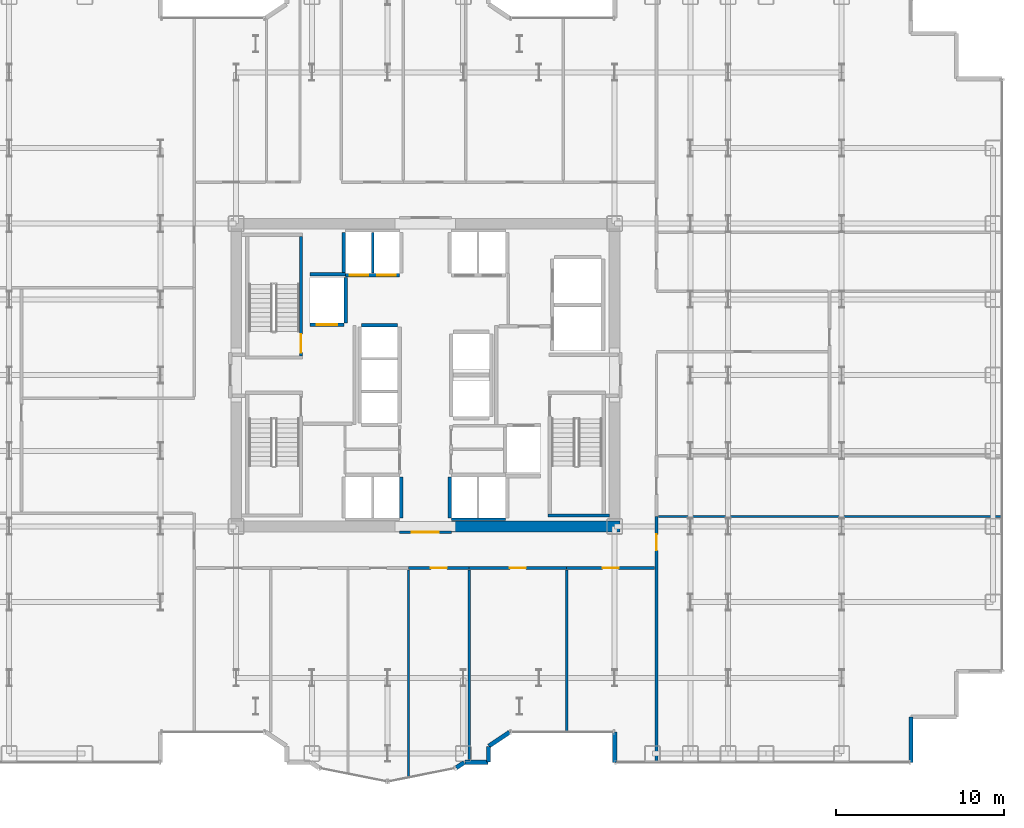
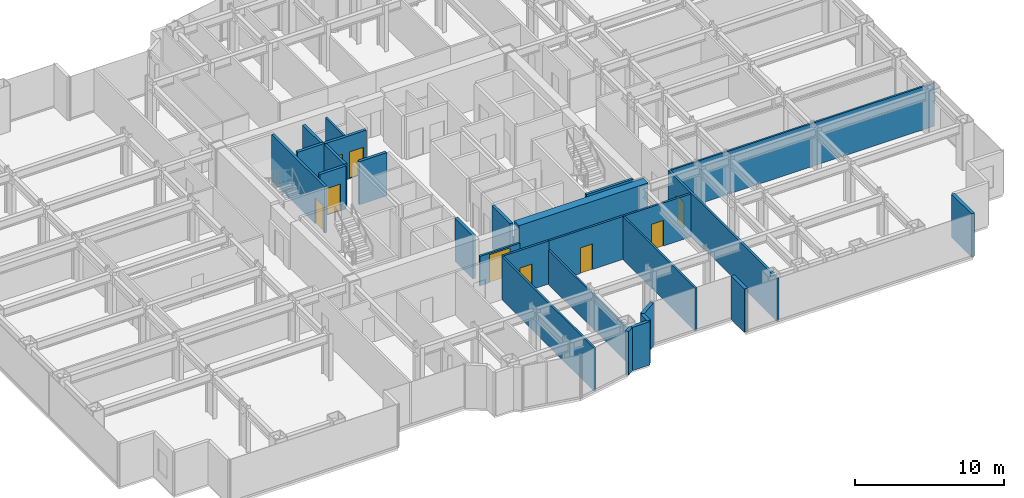
# One storey, part 21 of 26: 28 walls, 9 doors, 9 openings.
"""IFC4 building model written with IfcOpenShell, lengths in metres."""

from ifc_helpers import new_model, si_unit, direction, frame, frame_2d, origin, place, context, subcontext, project, spatial, rectangle, extrude, source, transform, mapped, material, layer, layer_set, type_object, element, fill, save


model = new_model("IFC4")

# Units and contexts
model_context = context("Model", 3, precision=1e-05, world=origin(), true_north=direction((0.0, 1.0)))
body_context = subcontext(model_context, "Body", "Model", "MODEL_VIEW")
ifc_project = project(units=[si_unit("LENGTHUNIT", "METRE"), si_unit("AREAUNIT", "SQUARE_METRE"), si_unit("VOLUMEUNIT", "CUBIC_METRE"), si_unit("PLANEANGLEUNIT", "RADIAN"), si_unit("MASSUNIT", "GRAM", prefix="KILO")], contexts=[model_context])

# Site, building, storey
site_placement = place(None, origin())
site = spatial("IfcSite", under=ifc_project, at=site_placement, CompositionType="ELEMENT")
building_placement = place(site_placement, origin())
building = spatial("IfcBuilding", under=site, at=building_placement, Name="Nefas-Gora Pilgrimage Tower", CompositionType="ELEMENT")
storey_placement = place(building_placement, frame((0.0, 0.0, 40.60009765625)))
storey = spatial("IfcBuildingStorey", under=building, at=storey_placement, Name="L08", CompositionType="ELEMENT", Elevation=40.60009765625)

# Walls
ifc_material_1 = material(Name="Concrete C60/75", Category="concrete")
ifc_layer_1 = layer(ifc_material_1, 0.64990234375)
ifc_layer_set_1 = layer_set([ifc_layer_1], Name="Concrete C60/75")
wall_type_1 = type_object("IfcWallType", Name="SW-CORE-650", PredefinedType="SHEAR", material=ifc_layer_set_1)
shared_shape_1 = source(origin(), body_context, "Body", "SweptSolid", [
    extrude(rectangle(XDim=10.02490234375, YDim=0.64990234375, at=frame_2d((5.012451171875, 0.0))), origin(), (0.0, 0.0, 1.0), 3.7998046875),
])
wall_1_placement = place(storey_placement, frame((1.550048828125, -9.0, 0.0), z_axis=(0.0, 0.0, 1.0), x_axis=(1.0, 0.0, 0.0)))
element("IfcWall", 1, at=wall_1_placement, inside=storey, type_object=wall_type_1, Name="L08 Core Shear Wall S-East", PredefinedType="SHEAR", context=body_context, shape_type="MappedRepresentation", body=[
    mapped(shared_shape_1, transform((0.0, 0.0, 0.0), x_axis=(1.0, 0.0, 0.0), y_axis=(0.0, 1.0, 0.0), z_axis=(0.0, 0.0, 1.0), scale=1.0)),
])
ifc_material_2 = material(Name="Precast concrete C40/50", Category="concrete")
ifc_layer_2 = layer(ifc_material_2, 0.260009765625)
ifc_layer_set_2 = layer_set([ifc_layer_2], Name="Precast concrete C40/50")
wall_type_2 = type_object("IfcWallType", Name="EW-PORTAL-260", PredefinedType="SOLIDWALL", material=ifc_layer_set_2)
shared_shape_2 = source(origin(), body_context, "Body", "SweptSolid", [
    extrude(rectangle(XDim=1.800048828125, YDim=0.260009765625, at=frame_2d((0.89990234375, 0.0))), origin(), (0.0, 0.0, 1.0), 3.5498046875),
])
wall_2_placement = place(storey_placement, frame((11.25, -21.219970703125, 0.0), z_axis=(0.0, 0.0, 1.0), x_axis=(0.0, -1.0, 0.0)))
element("IfcWall", 2, at=wall_2_placement, inside=storey, type_object=wall_type_2, Name="L08 Lobe Shoulder Precast Spandrel Pier 1", PredefinedType="SOLIDWALL", context=body_context, shape_type="MappedRepresentation", body=[
    mapped(shared_shape_2, transform((0.0, 0.0, 0.0), x_axis=(1.0, 0.0, 0.0), y_axis=(0.0, 1.0, 0.0), z_axis=(0.0, 0.0, 1.0), scale=1.0)),
])
ifc_material_3 = material(Name="Precast concrete C45/55", Category="concrete")
ifc_layer_3 = layer(ifc_material_3, 0.239990234375)
ifc_layer_set_3 = layer_set([ifc_layer_3], Name="Precast concrete C45/55")
wall_type_3 = type_object("IfcWallType", Name="EW-SERR-240", PredefinedType="SHEAR", material=ifc_layer_set_3)
shared_shape_3 = source(origin(), body_context, "Body", "SweptSolid", [
    extrude(rectangle(XDim=2.699951171875, YDim=0.239990234375, at=frame_2d((1.35009765625, 0.0))), origin(), (0.0, 0.0, 1.0), 3.5498046875),
])
wall_3_placement = place(storey_placement, frame((28.8701171875, -23.02001953125, 0.0), z_axis=(0.0, 0.0, 1.0), x_axis=(0.0, 1.0, 0.0)))
element("IfcWall", 3, at=wall_3_placement, inside=storey, type_object=wall_type_3, Name="L08 Serrated Corner Shear Pier Wall 2", PredefinedType="SHEAR", context=body_context, shape_type="MappedRepresentation", body=[
    mapped(shared_shape_3, transform((0.0, 0.0, 0.0), x_axis=(1.0, 0.0, 0.0), y_axis=(0.0, 1.0, 0.0), z_axis=(0.0, 0.0, 1.0), scale=1.0)),
])
shared_shape_4 = source(origin(), body_context, "Body", "SweptSolid", [
    extrude(rectangle(XDim=1.468994140625, YDim=0.260009765625, at=frame_2d((0.734375, 0.0))), origin(), (0.0, 0.0, 1.0), 3.5498046875),
])
wall_4_placement = place(storey_placement, frame((3.773193359375, -22.0517578125, 0.0), z_axis=(0.0, 0.0, 1.0), x_axis=(0.831461760506, 0.555581983884, 0.0)))
element("IfcWall", 4, at=wall_4_placement, inside=storey, type_object=wall_type_2, Name="L08 Lobe Shoulder Precast Spandrel Pier 36", PredefinedType="SOLIDWALL", context=body_context, shape_type="MappedRepresentation", body=[
    mapped(shared_shape_4, transform((0.0, 0.0, 0.0), x_axis=(1.0, 0.0, 0.0), y_axis=(0.0, 1.0, 0.0), z_axis=(0.0, 0.0, 1.0), scale=1.0)),
])
shared_shape_5 = source(origin(), body_context, "Body", "SweptSolid", [
    extrude(rectangle(XDim=0.896728515625, YDim=0.260009765625, at=frame_2d((0.4482421875, 0.0))), origin(), (0.0, 0.0, 1.0), 3.5498046875),
])
wall_5_placement = place(storey_placement, frame((3.75, -22.991943359375, 0.0), z_axis=(0.0, 0.0, 1.0), x_axis=(0.0, 1.0, 0.0)))
element("IfcWall", 5, at=wall_5_placement, inside=storey, type_object=wall_type_2, Name="L08 Lobe Shoulder Precast Spandrel Pier 35", PredefinedType="SOLIDWALL", context=body_context, shape_type="MappedRepresentation", body=[
    mapped(shared_shape_5, transform((0.0, 0.0, 0.0), x_axis=(1.0, 0.0, 0.0), y_axis=(0.0, 1.0, 0.0), z_axis=(0.0, 0.0, 1.0), scale=1.0)),
])
shared_shape_6 = source(origin(), body_context, "Body", "SweptSolid", [
    extrude(rectangle(XDim=1.369873046875, YDim=0.260009765625, at=frame_2d((0.68505859375, 0.0))), origin(), (0.0, 0.0, 1.0), 3.5498046875),
])
wall_6_placement = place(storey_placement, frame((2.35205078125, -23.02001953125, 0.0), z_axis=(0.0, 0.0, 1.0), x_axis=(1.0, 0.0, 0.0)))
element("IfcWall", 6, at=wall_6_placement, inside=storey, type_object=wall_type_2, Name="L08 Lobe Shoulder Precast Spandrel Pier 34", PredefinedType="SOLIDWALL", context=body_context, shape_type="MappedRepresentation", body=[
    mapped(shared_shape_6, transform((0.0, 0.0, 0.0), x_axis=(1.0, 0.0, 0.0), y_axis=(0.0, 1.0, 0.0), z_axis=(0.0, 0.0, 1.0), scale=1.0)),
])
shared_shape_7 = source(origin(), body_context, "Body", "SweptSolid", [
    extrude(rectangle(XDim=0.5654296875, YDim=0.260009765625, at=frame_2d((0.28271484375, 0.0))), origin(), (0.0, 0.0, 1.0), 3.5498046875),
])
wall_7_placement = place(storey_placement, frame((1.83056640625, -23.349609375, 0.0), z_axis=(0.0, 0.0, 1.0), x_axis=(0.831651492666, 0.555297933317, 0.0)))
element("IfcWall", 7, at=wall_7_placement, inside=storey, type_object=wall_type_2, Name="L08 Lobe Shoulder Precast Spandrel Pier 33", PredefinedType="SOLIDWALL", context=body_context, shape_type="MappedRepresentation", body=[
    mapped(shared_shape_7, transform((0.0, 0.0, 0.0), x_axis=(1.0, 0.0, 0.0), y_axis=(0.0, 1.0, 0.0), z_axis=(0.0, 0.0, 1.0), scale=1.0)),
])
ifc_material_4 = material(Name="Concrete C45/55", Category="concrete")
ifc_layer_4 = layer(ifc_material_4, 0.199951171875)
ifc_layer_set_4 = layer_set([ifc_layer_4], Name="Concrete C45/55")
wall_type_4 = type_object("IfcWallType", Name="IW-STAIR-200", PredefinedType="SOLIDWALL", material=ifc_layer_set_4)
shared_shape_8 = source(origin(), body_context, "Body", "SweptSolid", [
    extrude(rectangle(XDim=3.6298828125, YDim=0.199951171875, at=frame_2d((1.81494140625, 0.0))), origin(), (0.0, 0.0, 1.0), 3.7998046875),
])
wall_8_placement = place(storey_placement, frame((7.300048828125, -8.35009765625, 0.0), z_axis=(0.0, 0.0, 1.0), x_axis=(1.0, 0.0, 0.0)))
element("IfcWall", 8, at=wall_8_placement, inside=storey, type_object=wall_type_4, Name="L08 Stairwell Shear Wall ST-02-far", PredefinedType="SOLIDWALL", context=body_context, shape_type="MappedRepresentation", body=[
    mapped(shared_shape_8, transform((0.0, 0.0, 0.0), x_axis=(1.0, 0.0, 0.0), y_axis=(0.0, 1.0, 0.0), z_axis=(0.0, 0.0, 1.0), scale=1.0)),
])

# Wall, opening, door
shared_shape_9 = source(origin(), body_context, "Body", "SweptSolid", [
    extrude(rectangle(XDim=7.10009765625, YDim=0.199951171875, at=frame_2d((3.550048828125, 0.0))), origin(), (0.0, 0.0, 1.0), 3.7998046875),
])
wall_9_placement = place(storey_placement, frame((-7.39990234375, 1.14990234375, 0.0), z_axis=(0.0, 0.0, 1.0), x_axis=(0.0, 1.0, 0.0)))
wall_9 = element("IfcWall", 9, at=wall_9_placement, inside=storey, type_object=wall_type_4, Name="L08 Stairwell Shear Wall ST-01-left", PredefinedType="SOLIDWALL", context=body_context, shape_type="MappedRepresentation", body=[
    mapped(shared_shape_9, transform((0.0, 0.0, 0.0), x_axis=(1.0, 0.0, 0.0), y_axis=(0.0, 1.0, 0.0), z_axis=(0.0, 0.0, 1.0), scale=1.0)),
])
opening_1_placement = place(wall_9_placement, frame((0.179931640625, 0.0, 0.0)))
opening_1 = element("IfcOpeningElement", 10, at=opening_1_placement, cuts=wall_9, Name="Opening ID-ST1", PredefinedType="OPENING", context=body_context, shape_type="SweptSolid", body=[
    extrude(rectangle(XDim=1.10009765625, YDim=2.14990234375, at=frame_2d((0.550048828125, 1.074951171875))), frame((0.0, 0.10986328125, 0.0), z_axis=(0.0, -1.0, 0.0), x_axis=(1.0, 0.0, 0.0)), (0.0, 0.0, 1.0), 0.219970703125),
])
ifc_material_5 = material(Name="Painted galvanised steel fire stair door", Category="steel")
door_type_1 = type_object("IfcDoorType", Name="DR-INT-STAIR-1100", OperationType="NOTDEFINED", PredefinedType="DOOR", material=ifc_material_5)
shared_shape_10 = source(origin(), body_context, "Body", "SweptSolid", [
    extrude(rectangle(XDim=1.10009765625, YDim=2.14990234375, at=frame_2d((0.550048828125, 1.074951171875))), frame((0.0, 0.02490234375, 0.0), z_axis=(0.0, -1.0, 0.0), x_axis=(1.0, 0.0, 0.0)), (0.0, 0.0, 1.0), 0.050048828125),
])
door_1_placement = place(opening_1_placement, origin())
door_1 = element("IfcDoor", 11, at=door_1_placement, inside=storey, type_object=door_type_1, Name="L08 Protected Exit Stair Door ST-01", OperationType="SINGLE_SWING_RIGHT", OverallHeight=2.14990234375, OverallWidth=1.10009765625, PredefinedType="DOOR", context=body_context, shape_type="MappedRepresentation", body=[
    mapped(shared_shape_10, transform((0.0, 0.0, 0.0), x_axis=(1.0, 0.0, 0.0), y_axis=(0.0, 1.0, 0.0), z_axis=(0.0, 0.0, 1.0), scale=1.0)),
])
fill(opening_1, door_1)

ifc_material_6 = material(Name="Concrete C40/50", Category="concrete")
ifc_layer_5 = layer(ifc_material_6, 0.219970703125)
ifc_layer_set_5 = layer_set([ifc_layer_5], Name="Concrete C40/50")
wall_type_5 = type_object("IfcWallType", Name="IW-SHAFT-220", PredefinedType="SOLIDWALL", material=ifc_layer_set_5)
shared_shape_11 = source(origin(), body_context, "Body", "SweptSolid", [
    extrude(rectangle(XDim=2.0, YDim=0.219970703125, at=frame_2d((1.0, 0.0))), origin(), (0.0, 0.0, 1.0), 3.534912109375),
])
wall_10_placement = place(storey_placement, frame((-6.85009765625, 2.989990234375, 0.0), z_axis=(0.0, 0.0, 1.0), x_axis=(1.0, 0.0, 0.0)))
wall_10 = element("IfcWall", 12, at=wall_10_placement, inside=storey, type_object=wall_type_5, Name="L08 Hoistway Wall FFL-01-S", PredefinedType="SOLIDWALL", context=body_context, shape_type="MappedRepresentation", body=[
    mapped(shared_shape_11, transform((0.0, 0.0, 0.0), x_axis=(1.0, 0.0, 0.0), y_axis=(0.0, 1.0, 0.0), z_axis=(0.0, 0.0, 1.0), scale=1.0)),
])
opening_2_placement = place(wall_10_placement, frame((0.39990234375, 0.0, 0.0)))
opening_2 = element("IfcOpeningElement", 13, at=opening_2_placement, cuts=wall_10, Name="Opening LD-FF", PredefinedType="OPENING", context=body_context, shape_type="SweptSolid", body=[
    extrude(rectangle(XDim=1.199951171875, YDim=2.199951171875, at=frame_2d((0.60009765625, 1.10009765625))), frame((0.0, 0.119873046875, 0.0), z_axis=(0.0, -1.0, 0.0), x_axis=(1.0, 0.0, 0.0)), (0.0, 0.0, 1.0), 0.239990234375),
])
ifc_material_7 = material(Name="Fire-service sliding lift landing door")
door_type_2 = type_object("IfcDoorType", Name="DR-LIFT-FSAE-1200", OperationType="SLIDING_TO_LEFT", PredefinedType="DOOR", material=ifc_material_7)
shared_shape_12 = source(origin(), body_context, "Body", "SweptSolid", [
    extrude(rectangle(XDim=1.199951171875, YDim=2.199951171875, at=frame_2d((0.60009765625, 1.10009765625))), frame((0.0, 0.02490234375, 0.0), z_axis=(0.0, -1.0, 0.0), x_axis=(1.0, 0.0, 0.0)), (0.0, 0.0, 1.0), 0.050048828125),
])
door_2_placement = place(opening_2_placement, origin())
door_2 = element("IfcDoor", 14, at=door_2_placement, inside=storey, type_object=door_type_2, Name="L08 Sliding Lift Landing Door FFL-01", OperationType="SLIDING_TO_LEFT", OverallHeight=2.199951171875, OverallWidth=1.199951171875, PredefinedType="DOOR", context=body_context, shape_type="MappedRepresentation", body=[
    mapped(shared_shape_12, transform((0.0, 0.0, 0.0), x_axis=(1.0, 0.0, 0.0), y_axis=(0.0, 1.0, 0.0), z_axis=(0.0, 0.0, 1.0), scale=1.0)),
])
fill(opening_2, door_2)

# Wall
shared_shape_13 = source(origin(), body_context, "Body", "SweptSolid", [
    extrude(rectangle(XDim=2.679931640625, YDim=0.219970703125, at=frame_2d((1.33984375, 0.0))), origin(), (0.0, 0.0, 1.0), 3.534912109375),
])
wall_11_placement = place(storey_placement, frame((-4.739990234375, 3.110107421875, 0.0), z_axis=(0.0, 0.0, 1.0), x_axis=(0.0, 1.0, 0.0)))
element("IfcWall", 15, at=wall_11_placement, inside=storey, type_object=wall_type_5, Name="L08 Hoistway Wall FFL-01-E", PredefinedType="SOLIDWALL", context=body_context, shape_type="MappedRepresentation", body=[
    mapped(shared_shape_13, transform((0.0, 0.0, 0.0), x_axis=(1.0, 0.0, 0.0), y_axis=(0.0, 1.0, 0.0), z_axis=(0.0, 0.0, 1.0), scale=1.0)),
])

# Wall, openings, doors
shared_shape_14 = source(origin(), body_context, "Body", "SweptSolid", [
    extrude(rectangle(XDim=3.199951171875, YDim=0.219970703125, at=frame_2d((1.60009765625, 0.0))), origin(), (0.0, 0.0, 1.0), 3.534912109375),
])
wall_12_placement = place(storey_placement, frame((-4.75, 5.93994140625, 0.0), z_axis=(0.0, 0.0, 1.0), x_axis=(1.0, 0.0, 0.0)))
wall_12 = element("IfcWall", 16, at=wall_12_placement, inside=storey, type_object=wall_type_5, Name="L08 Hoistway Wall PL1-W-S", PredefinedType="SOLIDWALL", context=body_context, shape_type="MappedRepresentation", body=[
    mapped(shared_shape_14, transform((0.0, 0.0, 0.0), x_axis=(1.0, 0.0, 0.0), y_axis=(0.0, 1.0, 0.0), z_axis=(0.0, 0.0, 1.0), scale=1.0)),
])
opening_3_placement = place(wall_12_placement, frame((0.25, 0.0, 0.0)))
opening_3 = element("IfcOpeningElement", 17, at=opening_3_placement, cuts=wall_12, Name="Opening LD-01", PredefinedType="OPENING", context=body_context, shape_type="SweptSolid", body=[
    extrude(rectangle(XDim=1.10009765625, YDim=2.199951171875, at=frame_2d((0.550048828125, 1.10009765625))), frame((0.0, 0.119873046875, 0.0), z_axis=(0.0, -1.0, 0.0), x_axis=(1.0, 0.0, 0.0)), (0.0, 0.0, 1.0), 0.239990234375),
])
opening_4_placement = place(wall_12_placement, frame((1.875, 0.0, 0.0)))
opening_4 = element("IfcOpeningElement", 18, at=opening_4_placement, cuts=wall_12, Name="Opening LD-01", PredefinedType="OPENING", context=body_context, shape_type="SweptSolid", body=[
    extrude(rectangle(XDim=1.10009765625, YDim=2.199951171875, at=frame_2d((0.550048828125, 1.10009765625))), frame((0.0, 0.119873046875, 0.0), z_axis=(0.0, -1.0, 0.0), x_axis=(1.0, 0.0, 0.0)), (0.0, 0.0, 1.0), 0.239990234375),
])
ifc_material_8 = material(Name="Brushed stainless sliding lift landing door")
door_type_3 = type_object("IfcDoorType", Name="DR-LIFT-PASS-1100", OperationType="DOUBLE_DOOR_SLIDING", PredefinedType="DOOR", material=ifc_material_8)
shared_shape_15 = source(origin(), body_context, "Body", "SweptSolid", [
    extrude(rectangle(XDim=1.10009765625, YDim=2.199951171875, at=frame_2d((0.550048828125, 1.10009765625))), frame((0.0, 0.02490234375, 0.0), z_axis=(0.0, -1.0, 0.0), x_axis=(1.0, 0.0, 0.0)), (0.0, 0.0, 1.0), 0.050048828125),
])
door_3_placement = place(opening_3_placement, origin())
door_3 = element("IfcDoor", 19, at=door_3_placement, inside=storey, type_object=door_type_3, Name="L08 Sliding Lift Landing Door PL1-01", OperationType="DOUBLE_DOOR_SLIDING", OverallHeight=2.199951171875, OverallWidth=1.10009765625, PredefinedType="DOOR", context=body_context, shape_type="MappedRepresentation", body=[
    mapped(shared_shape_15, transform((0.0, 0.0, 0.0), x_axis=(1.0, 0.0, 0.0), y_axis=(0.0, 1.0, 0.0), z_axis=(0.0, 0.0, 1.0), scale=1.0)),
])
fill(opening_3, door_3)
door_4_placement = place(opening_4_placement, origin())
door_4 = element("IfcDoor", 20, at=door_4_placement, inside=storey, type_object=door_type_3, Name="L08 Sliding Lift Landing Door PL1-02", OperationType="DOUBLE_DOOR_SLIDING", OverallHeight=2.199951171875, OverallWidth=1.10009765625, PredefinedType="DOOR", context=body_context, shape_type="MappedRepresentation", body=[
    mapped(shared_shape_15, transform((0.0, 0.0, 0.0), x_axis=(1.0, 0.0, 0.0), y_axis=(0.0, 1.0, 0.0), z_axis=(0.0, 0.0, 1.0), scale=1.0)),
])
fill(opening_4, door_4)

# Walls
shared_shape_16 = source(origin(), body_context, "Body", "SweptSolid", [
    extrude(rectangle(XDim=2.429931640625, YDim=0.219970703125, at=frame_2d((1.21484375, 0.0))), origin(), (0.0, 0.0, 1.0), 3.534912109375),
])
for number, where, z_axis, x_axis, name in (
    (21, (-4.860107421875, 8.489990234375, 0.0), (0.0, 0.0, 1.0), (0.0, -1.0, 0.0), "L08 Hoistway Wall PL1-W-W"),
    (22, (-1.43994140625, -8.489990234375, 0.0), (0.0, 0.0, 1.0), (0.0, 1.0, 0.0), "L08 Hoistway Wall PL2-W-E"),
    (23, (1.43994140625, -6.06005859375, 0.0), (0.0, 0.0, 1.0), (0.0, -1.0, 0.0), "L08 Hoistway Wall PL2-E-W"),
):
    element("IfcWall", number, at=place(storey_placement, frame(where, z_axis=z_axis, x_axis=x_axis)), inside=storey, type_object=wall_type_5, Name=name, PredefinedType="SOLIDWALL", context=body_context, shape_type="MappedRepresentation", body=[
        mapped(shared_shape_16, transform((0.0, 0.0, 0.0), x_axis=(1.0, 0.0, 0.0), y_axis=(0.0, 1.0, 0.0), z_axis=(0.0, 0.0, 1.0), scale=1.0)),
    ])
ifc_material_9 = material(Name="Gypsum twin-stud partition")
ifc_layer_6 = layer(ifc_material_9, 0.139892578125)
ifc_layer_set_6 = layer_set([ifc_layer_6], Name="Gypsum twin-stud partition")
wall_type_6 = type_object("IfcWallType", Name="IW-UNIT-140", PredefinedType="PARTITIONING", material=ifc_layer_set_6)
shared_shape_17 = source(origin(), body_context, "Body", "SweptSolid", [
    extrude(rectangle(XDim=2.429931640625, YDim=0.139892578125, at=frame_2d((1.21484375, 0.0))), origin(), (0.0, 0.0, 1.0), 3.534912109375),
])
wall_13_placement = place(storey_placement, frame((-3.125, 6.06005859375, 0.0), z_axis=(0.0, 0.0, 1.0), x_axis=(0.0, 1.0, 0.0)))
element("IfcWall", 24, at=wall_13_placement, inside=storey, type_object=wall_type_6, Name="L08 Hoistway Wall PL1-W-DIV", PredefinedType="PARTITIONING", context=body_context, shape_type="MappedRepresentation", body=[
    mapped(shared_shape_17, transform((0.0, 0.0, 0.0), x_axis=(1.0, 0.0, 0.0), y_axis=(0.0, 1.0, 0.0), z_axis=(0.0, 0.0, 1.0), scale=1.0)),
])
shared_shape_18 = source(origin(), body_context, "Body", "SweptSolid", [
    extrude(rectangle(XDim=2.130126953125, YDim=0.219970703125, at=frame_2d((1.06494140625, 0.0))), origin(), (0.0, 0.0, 1.0), 3.534912109375),
])
wall_14_placement = place(storey_placement, frame((-1.659912109375, 2.9599609375, 0.0), z_axis=(0.0, 0.0, 1.0), x_axis=(-1.0, 0.0, 0.0)))
element("IfcWall", 25, at=wall_14_placement, inside=storey, type_object=wall_type_5, Name="L08 Hoistway Wall PL3-03-N", PredefinedType="SOLIDWALL", context=body_context, shape_type="MappedRepresentation", body=[
    mapped(shared_shape_18, transform((0.0, 0.0, 0.0), x_axis=(1.0, 0.0, 0.0), y_axis=(0.0, 1.0, 0.0), z_axis=(0.0, 0.0, 1.0), scale=1.0)),
])
ifc_material_10 = material(Name="Gypsum acoustic stud partition")
ifc_layer_7 = layer(ifc_material_10, 0.159912109375)
ifc_layer_set_7 = layer_set([ifc_layer_7], Name="Gypsum acoustic stud partition")
wall_type_7 = type_object("IfcWallType", Name="IW-CORR-160", PredefinedType="PARTITIONING", material=ifc_layer_set_7)
shared_shape_19 = source(origin(), body_context, "Body", "SweptSolid", [
    extrude(rectangle(XDim=3.199951171875, YDim=0.159912109375, at=frame_2d((1.60009765625, 0.0))), origin(), (0.0, 0.0, 1.0), 2.4248046875),
])
wall_15_placement = place(storey_placement, frame((1.550048828125, -8.580078125, 0.0), z_axis=(0.0, 0.0, 1.0), x_axis=(1.0, 0.0, 0.0)))
element("IfcWall", 26, at=wall_15_placement, inside=storey, type_object=wall_type_7, Name="L08 Hoistway Wall PL2-E-S", PredefinedType="PARTITIONING", context=body_context, shape_type="MappedRepresentation", body=[
    mapped(shared_shape_19, transform((0.0, 0.0, 0.0), x_axis=(1.0, 0.0, 0.0), y_axis=(0.0, 1.0, 0.0), z_axis=(0.0, 0.0, 1.0), scale=1.0)),
])
shared_shape_20 = source(origin(), body_context, "Body", "SweptSolid", [
    extrude(rectangle(XDim=2.09521484375, YDim=0.219970703125, at=frame_2d((1.047607421875, 0.0))), origin(), (0.0, 0.0, 1.0), 3.534912109375),
])
wall_16_placement = place(storey_placement, frame((-6.85009765625, 6.0, 0.0), z_axis=(0.0, 0.0, 1.0), x_axis=(1.0, 0.0, 0.0)))
element("IfcWall", 27, at=wall_16_placement, inside=storey, type_object=wall_type_5, Name="L08 Riser Shaft Wall 1", PredefinedType="SOLIDWALL", context=body_context, shape_type="MappedRepresentation", body=[
    mapped(shared_shape_20, transform((0.0, 0.0, 0.0), x_axis=(1.0, 0.0, 0.0), y_axis=(0.0, 1.0, 0.0), z_axis=(0.0, 0.0, 1.0), scale=1.0)),
])

# Wall, opening, door
shared_shape_21 = source(origin(), body_context, "Body", "SweptSolid", [
    extrude(rectangle(XDim=14.64501953125, YDim=0.159912109375, at=frame_2d((7.322509765625, 0.0))), origin(), (0.0, 0.0, 1.0), 3.534912109375),
])
wall_17_placement = place(storey_placement, frame((13.739990234375, -23.0400390625, 0.0), z_axis=(0.0, 0.0, 1.0), x_axis=(0.0, 1.0, 0.0)))
wall_17 = element("IfcWall", 28, at=wall_17_placement, inside=storey, type_object=wall_type_7, Name="L08 Pilgrim Contemplative Lounge Partition Wall 35", PredefinedType="PARTITIONING", context=body_context, shape_type="MappedRepresentation", body=[
    mapped(shared_shape_21, transform((0.0, 0.0, 0.0), x_axis=(1.0, 0.0, 0.0), y_axis=(0.0, 1.0, 0.0), z_axis=(0.0, 0.0, 1.0), scale=1.0)),
])
opening_5_placement = place(wall_17_placement, frame((12.612548828125, 0.0, 0.0)))
opening_5 = element("IfcOpeningElement", 29, at=opening_5_placement, cuts=wall_17, Name="Opening ID-GR1", PredefinedType="OPENING", context=body_context, shape_type="SweptSolid", body=[
    extrude(rectangle(XDim=0.949951171875, YDim=2.10009765625, at=frame_2d((0.47509765625, 1.050048828125))), frame((0.0, 0.08984375, 0.0), z_axis=(0.0, -1.0, 0.0), x_axis=(1.0, 0.0, 0.0)), (0.0, 0.0, 1.0), 0.179931640625),
])
ifc_material_11 = material(Name="Solid core oak fire-rated guest entrance door")
door_type_4 = type_object("IfcDoorType", Name="DR-INT-GUEST-950", OperationType="NOTDEFINED", PredefinedType="DOOR", material=ifc_material_11)
shared_shape_22 = source(origin(), body_context, "Body", "SweptSolid", [
    extrude(rectangle(XDim=0.949951171875, YDim=2.10009765625, at=frame_2d((0.47509765625, 1.050048828125))), frame((0.0, 0.02490234375, 0.0), z_axis=(0.0, -1.0, 0.0), x_axis=(1.0, 0.0, 0.0)), (0.0, 0.0, 1.0), 0.050048828125),
])
door_5_placement = place(opening_5_placement, origin())
door_5 = element("IfcDoor", 30, at=door_5_placement, inside=storey, type_object=door_type_4, Name="L08 Pilgrim Contemplative Lounge Door 15", OperationType="SINGLE_SWING_LEFT", OverallHeight=2.10009765625, OverallWidth=0.949951171875, PredefinedType="DOOR", context=body_context, shape_type="MappedRepresentation", body=[
    mapped(shared_shape_22, transform((0.0, 0.0, 0.0), x_axis=(1.0, 0.0, 0.0), y_axis=(0.0, 1.0, 0.0), z_axis=(0.0, 0.0, 1.0), scale=1.0)),
])
fill(opening_5, door_5)

# Wall
shared_shape_23 = source(origin(), body_context, "Body", "SweptSolid", [
    extrude(rectangle(XDim=11.260009765625, YDim=0.139892578125, at=frame_2d((5.6298828125, 0.0))), origin(), (0.0, 0.0, 1.0), 2.824951171875),
])
wall_18_placement = place(storey_placement, frame((2.594970703125, -22.85009765625, 0.0), z_axis=(0.0, 0.0, 1.0), x_axis=(0.0, 1.0, 0.0)))
element("IfcWall", 31, at=wall_18_placement, inside=storey, type_object=wall_type_6, Name="L08 Pilgrim Contemplative Lounge Partition Wall 63", PredefinedType="PARTITIONING", context=body_context, shape_type="MappedRepresentation", body=[
    mapped(shared_shape_23, transform((0.0, 0.0, 0.0), x_axis=(1.0, 0.0, 0.0), y_axis=(0.0, 1.0, 0.0), z_axis=(0.0, 0.0, 1.0), scale=1.0)),
])

# Wall, opening, door
shared_shape_24 = source(origin(), body_context, "Body", "SweptSolid", [
    extrude(rectangle(XDim=5.81005859375, YDim=0.159912109375, at=frame_2d((2.905029296875, 0.0))), origin(), (0.0, 0.0, 1.0), 3.534912109375),
])
wall_19_placement = place(storey_placement, frame((2.594970703125, -11.469970703125, 0.0), z_axis=(0.0, 0.0, 1.0), x_axis=(1.0, 0.0, 0.0)))
wall_19 = element("IfcWall", 32, at=wall_19_placement, inside=storey, type_object=wall_type_7, Name="L08 Pilgrim Contemplative Lounge Partition Wall 64", PredefinedType="PARTITIONING", context=body_context, shape_type="MappedRepresentation", body=[
    mapped(shared_shape_24, transform((0.0, 0.0, 0.0), x_axis=(1.0, 0.0, 0.0), y_axis=(0.0, 1.0, 0.0), z_axis=(0.0, 0.0, 1.0), scale=1.0)),
])
opening_6_placement = place(wall_19_placement, frame((2.429931640625, 0.0, 0.0)))
opening_6 = element("IfcOpeningElement", 33, at=opening_6_placement, cuts=wall_19, Name="Opening ID-GR1", PredefinedType="OPENING", context=body_context, shape_type="SweptSolid", body=[
    extrude(rectangle(XDim=0.949951171875, YDim=2.10009765625, at=frame_2d((0.47509765625, 1.050048828125))), frame((0.0, 0.08984375, 0.0), z_axis=(0.0, -1.0, 0.0), x_axis=(1.0, 0.0, 0.0)), (0.0, 0.0, 1.0), 0.179931640625),
])
door_6_placement = place(opening_6_placement, origin())
door_6 = element("IfcDoor", 34, at=door_6_placement, inside=storey, type_object=door_type_4, Name="L08 Pilgrim Contemplative Lounge Door 30", OperationType="SINGLE_SWING_RIGHT", OverallHeight=2.10009765625, OverallWidth=0.949951171875, PredefinedType="DOOR", context=body_context, shape_type="MappedRepresentation", body=[
    mapped(shared_shape_22, transform((0.0, 0.0, 0.0), x_axis=(1.0, 0.0, 0.0), y_axis=(0.0, 1.0, 0.0), z_axis=(0.0, 0.0, 1.0), scale=1.0)),
])
fill(opening_6, door_6)

# Wall
shared_shape_25 = source(origin(), body_context, "Body", "SweptSolid", [
    extrude(rectangle(XDim=9.64990234375, YDim=0.139892578125, at=frame_2d((4.824951171875, 0.0))), origin(), (0.0, 0.0, 1.0), 3.534912109375),
])
wall_20_placement = place(storey_placement, frame((8.39501953125, -21.239990234375, 0.0), z_axis=(0.0, 0.0, 1.0), x_axis=(0.0, 1.0, 0.0)))
element("IfcWall", 35, at=wall_20_placement, inside=storey, type_object=wall_type_6, Name="L08 Pilgrim Contemplative Lounge Partition Wall 65", PredefinedType="PARTITIONING", context=body_context, shape_type="MappedRepresentation", body=[
    mapped(shared_shape_25, transform((0.0, 0.0, 0.0), x_axis=(1.0, 0.0, 0.0), y_axis=(0.0, 1.0, 0.0), z_axis=(0.0, 0.0, 1.0), scale=1.0)),
])

# Wall, opening, door
shared_shape_26 = source(origin(), body_context, "Body", "SweptSolid", [
    extrude(rectangle(XDim=3.60498046875, YDim=0.159912109375, at=frame_2d((1.802490234375, 0.0))), origin(), (0.0, 0.0, 1.0), 3.534912109375),
])
wall_21_placement = place(storey_placement, frame((-1.0, -11.469970703125, 0.0), z_axis=(0.0, 0.0, 1.0), x_axis=(1.0, 0.0, 0.0)))
wall_21 = element("IfcWall", 36, at=wall_21_placement, inside=storey, type_object=wall_type_7, Name="L08 Pilgrim Contemplative Lounge Partition Wall 62", PredefinedType="PARTITIONING", context=body_context, shape_type="MappedRepresentation", body=[
    mapped(shared_shape_26, transform((0.0, 0.0, 0.0), x_axis=(1.0, 0.0, 0.0), y_axis=(0.0, 1.0, 0.0), z_axis=(0.0, 0.0, 1.0), scale=1.0)),
])
opening_7_placement = place(wall_21_placement, frame((1.327392578125, 0.0, 0.0)))
opening_7 = element("IfcOpeningElement", 37, at=opening_7_placement, cuts=wall_21, Name="Opening ID-GR1", PredefinedType="OPENING", context=body_context, shape_type="SweptSolid", body=[
    extrude(rectangle(XDim=0.949951171875, YDim=2.10009765625, at=frame_2d((0.47509765625, 1.050048828125))), frame((0.0, 0.08984375, 0.0), z_axis=(0.0, -1.0, 0.0), x_axis=(1.0, 0.0, 0.0)), (0.0, 0.0, 1.0), 0.179931640625),
])
door_7_placement = place(opening_7_placement, origin())
door_7 = element("IfcDoor", 38, at=door_7_placement, inside=storey, type_object=door_type_4, Name="L08 Pilgrim Contemplative Lounge Door 29", OperationType="SINGLE_SWING_LEFT", OverallHeight=2.10009765625, OverallWidth=0.949951171875, PredefinedType="DOOR", context=body_context, shape_type="MappedRepresentation", body=[
    mapped(shared_shape_22, transform((0.0, 0.0, 0.0), x_axis=(1.0, 0.0, 0.0), y_axis=(0.0, 1.0, 0.0), z_axis=(0.0, 0.0, 1.0), scale=1.0)),
])
fill(opening_7, door_7)

# Wall
shared_shape_27 = source(origin(), body_context, "Body", "SweptSolid", [
    extrude(rectangle(XDim=12.35595703125, YDim=0.139892578125, at=frame_2d((6.177978515625, 0.0))), origin(), (0.0, 0.0, 1.0), 3.534912109375),
])
wall_22_placement = place(storey_placement, frame((-1.010009765625, -23.946044921875, 0.0), z_axis=(0.0, 0.0, 1.0), x_axis=(0.0, 1.0, 0.0)))
element("IfcWall", 39, at=wall_22_placement, inside=storey, type_object=wall_type_6, Name="L08 Pilgrim Contemplative Lounge Partition Wall 61", PredefinedType="PARTITIONING", context=body_context, shape_type="MappedRepresentation", body=[
    mapped(shared_shape_27, transform((0.0, 0.0, 0.0), x_axis=(1.0, 0.0, 0.0), y_axis=(0.0, 1.0, 0.0), z_axis=(0.0, 0.0, 1.0), scale=1.0)),
])

# Wall, opening, door
shared_shape_28 = source(origin(), body_context, "Body", "SweptSolid", [
    extrude(rectangle(XDim=5.22509765625, YDim=0.159912109375, at=frame_2d((2.612548828125, 0.0))), origin(), (0.0, 0.0, 1.0), 3.534912109375),
])
wall_23_placement = place(storey_placement, frame((8.39501953125, -11.469970703125, 0.0), z_axis=(0.0, 0.0, 1.0), x_axis=(1.0, 0.0, 0.0)))
wall_23 = element("IfcWall", 40, at=wall_23_placement, inside=storey, type_object=wall_type_7, Name="L08 Pilgrim Contemplative Lounge Partition Wall 66", PredefinedType="PARTITIONING", context=body_context, shape_type="MappedRepresentation", body=[
    mapped(shared_shape_28, transform((0.0, 0.0, 0.0), x_axis=(1.0, 0.0, 0.0), y_axis=(0.0, 1.0, 0.0), z_axis=(0.0, 0.0, 1.0), scale=1.0)),
])
opening_8_placement = place(wall_23_placement, frame((2.137451171875, 0.0, 0.0)))
opening_8 = element("IfcOpeningElement", 41, at=opening_8_placement, cuts=wall_23, Name="Opening ID-GR1", PredefinedType="OPENING", context=body_context, shape_type="SweptSolid", body=[
    extrude(rectangle(XDim=0.949951171875, YDim=2.10009765625, at=frame_2d((0.47509765625, 1.050048828125))), frame((0.0, 0.08984375, 0.0), z_axis=(0.0, -1.0, 0.0), x_axis=(1.0, 0.0, 0.0)), (0.0, 0.0, 1.0), 0.179931640625),
])
door_8_placement = place(opening_8_placement, origin())
door_8 = element("IfcDoor", 42, at=door_8_placement, inside=storey, type_object=door_type_4, Name="L08 Pilgrim Contemplative Lounge Door 31", OperationType="SINGLE_SWING_LEFT", OverallHeight=2.10009765625, OverallWidth=0.949951171875, PredefinedType="DOOR", context=body_context, shape_type="MappedRepresentation", body=[
    mapped(shared_shape_22, transform((0.0, 0.0, 0.0), x_axis=(1.0, 0.0, 0.0), y_axis=(0.0, 1.0, 0.0), z_axis=(0.0, 0.0, 1.0), scale=1.0)),
])
fill(opening_8, door_8)

# Wall
shared_shape_29 = source(origin(), body_context, "Body", "SweptSolid", [
    extrude(rectangle(XDim=20.429931640625, YDim=0.139892578125, at=frame_2d((10.21484375, 0.0))), origin(), (0.0, 0.0, 1.0), 3.534912109375),
])
wall_24_placement = place(storey_placement, frame((13.860107421875, -8.405029296875, 0.0), z_axis=(0.0, 0.0, 1.0), x_axis=(1.0, 0.0, 0.0)))
element("IfcWall", 43, at=wall_24_placement, inside=storey, type_object=wall_type_6, Name="L08 Pilgrim Contemplative Lounge Partition Wall 36", PredefinedType="PARTITIONING", context=body_context, shape_type="MappedRepresentation", body=[
    mapped(shared_shape_29, transform((0.0, 0.0, 0.0), x_axis=(1.0, 0.0, 0.0), y_axis=(0.0, 1.0, 0.0), z_axis=(0.0, 0.0, 1.0), scale=1.0)),
])

# Wall, opening, door
shared_shape_30 = source(origin(), body_context, "Body", "SweptSolid", [
    extrude(rectangle(XDim=3.08984375, YDim=0.159912109375, at=frame_2d((1.544921875, 0.0))), origin(), (0.0, 0.0, 1.0), 2.4248046875),
])
wall_25_placement = place(storey_placement, frame((-1.544921875, -9.35009765625, 0.0), z_axis=(0.0, 0.0, 1.0), x_axis=(1.0, 0.0, 0.0)))
wall_25 = element("IfcWall", 44, at=wall_25_placement, inside=storey, type_object=wall_type_7, Name="L08 Central Lift Lobby South Portal Wall 14", PredefinedType="PARTITIONING", context=body_context, shape_type="MappedRepresentation", body=[
    mapped(shared_shape_30, transform((0.0, 0.0, 0.0), x_axis=(1.0, 0.0, 0.0), y_axis=(0.0, 1.0, 0.0), z_axis=(0.0, 0.0, 1.0), scale=1.0)),
])
opening_9_placement = place(wall_25_placement, frame((0.7451171875, 0.0, 0.0)))
opening_9 = element("IfcOpeningElement", 45, at=opening_9_placement, cuts=wall_25, Name="Opening ID-HL1", PredefinedType="OPENING", context=body_context, shape_type="SweptSolid", body=[
    extrude(rectangle(XDim=1.60009765625, YDim=2.300048828125, at=frame_2d((0.800048828125, 1.14990234375))), frame((0.0, 0.08984375, 0.0), z_axis=(0.0, -1.0, 0.0), x_axis=(1.0, 0.0, 0.0)), (0.0, 0.0, 1.0), 0.179931640625),
])
ifc_material_12 = material(Name="Double acoustic timber assembly hall door", Category="wood")
door_type_5 = type_object("IfcDoorType", Name="DR-INT-HALL-1600", OperationType="DOUBLE_DOOR_SINGLE_SWING", PredefinedType="DOOR", material=ifc_material_12)
shared_shape_31 = source(origin(), body_context, "Body", "SweptSolid", [
    extrude(rectangle(XDim=1.60009765625, YDim=2.300048828125, at=frame_2d((0.800048828125, 1.14990234375))), frame((0.0, 0.02490234375, 0.0), z_axis=(0.0, -1.0, 0.0), x_axis=(1.0, 0.0, 0.0)), (0.0, 0.0, 1.0), 0.050048828125),
])
door_9_placement = place(opening_9_placement, origin())
door_9 = element("IfcDoor", 46, at=door_9_placement, inside=storey, type_object=door_type_5, Name="L08 Central Lift Lobby South Portal Door 5", OperationType="DOUBLE_DOOR_SINGLE_SWING", OverallHeight=2.300048828125, OverallWidth=1.60009765625, PredefinedType="DOOR", context=body_context, shape_type="MappedRepresentation", body=[
    mapped(shared_shape_31, transform((0.0, 0.0, 0.0), x_axis=(1.0, 0.0, 0.0), y_axis=(0.0, 1.0, 0.0), z_axis=(0.0, 0.0, 1.0), scale=1.0)),
])
fill(opening_9, door_9)

save(model, "model.ifc")
